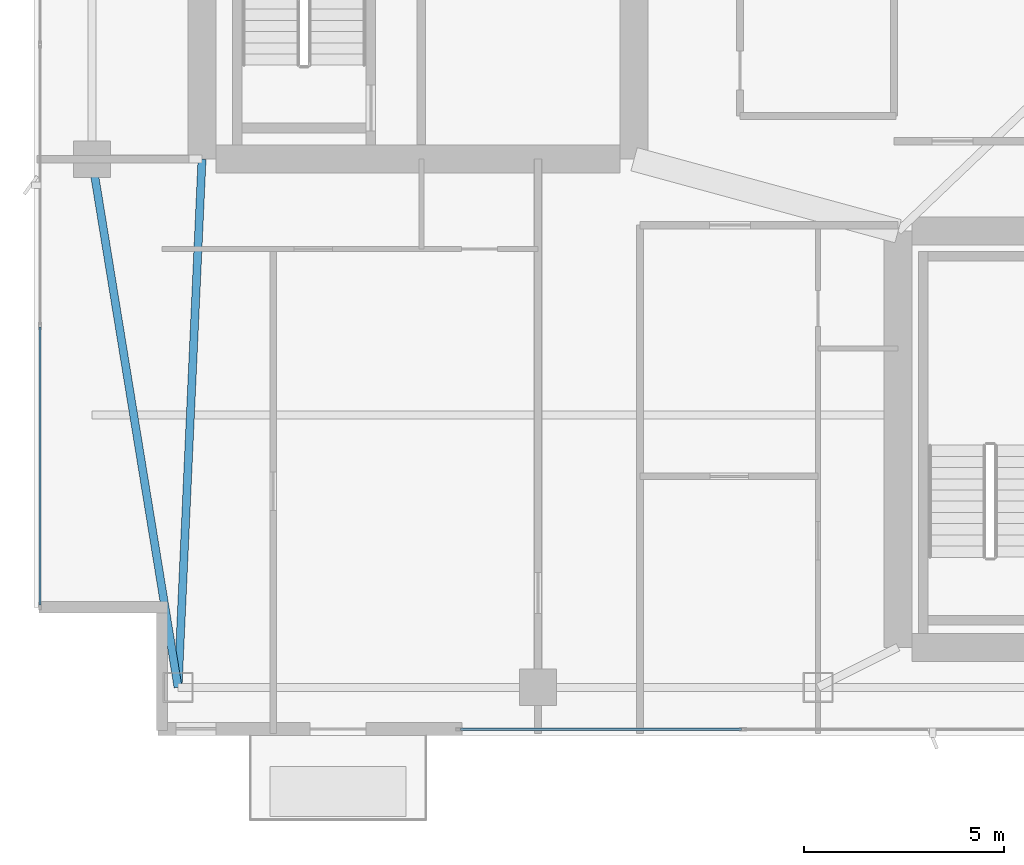
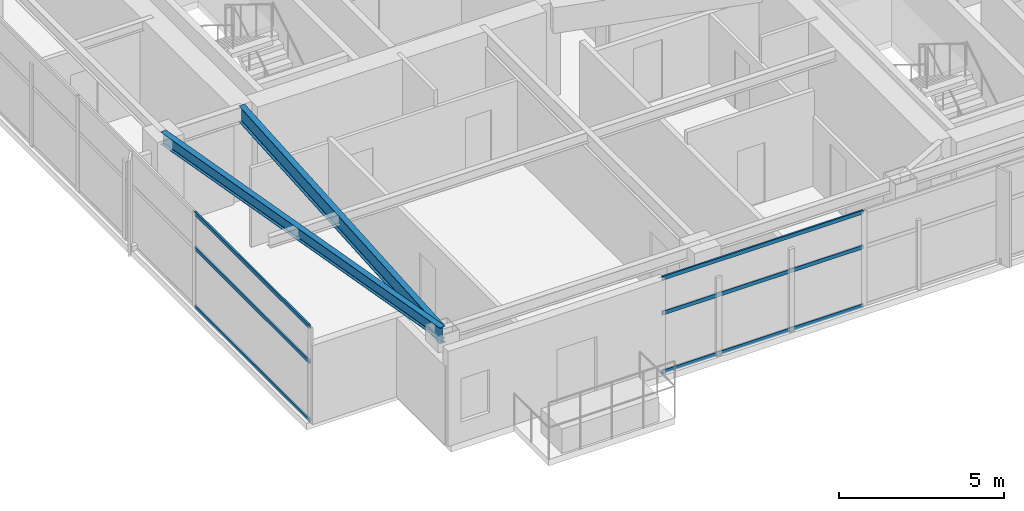
# One storey, part 3 of 27: 6 members, 2 beams, 2 elements without a shape of their own.
"""IFC4 building model written with IfcOpenShell, lengths in metres."""

from ifc_helpers import new_model, si_unit, direction, frame, origin, origin_2d, place, context, subcontext, project, spatial, hollow_rectangle, i_section, extrude, material, layer, layer_set, material_profile, profile_set, type_object, element, aggregate, save


model = new_model("IFC4")

# Units and contexts
model_context = context("Model", 3, precision=1e-05, world=origin(), true_north=direction((0.0, 1.0)))
body_context = subcontext(model_context, "Body", "Model", "MODEL_VIEW")
ifc_project = project(units=[si_unit("LENGTHUNIT", "METRE"), si_unit("AREAUNIT", "SQUARE_METRE"), si_unit("VOLUMEUNIT", "CUBIC_METRE"), si_unit("PLANEANGLEUNIT", "RADIAN"), si_unit("MASSUNIT", "GRAM", prefix="KILO")], contexts=[model_context])

# Site, building, storey
site_placement = place(None, origin())
site = spatial("IfcSite", under=ifc_project, at=site_placement, CompositionType="ELEMENT")
building_placement = place(site_placement, origin())
building = spatial("IfcBuilding", under=site, at=building_placement, Name="Calvorn Quay Hotel", CompositionType="ELEMENT")
storey_placement = place(building_placement, frame((0.0, 0.0, 230.699951171875)))
storey = spatial("IfcBuildingStorey", under=building, at=storey_placement, Name="L57", CompositionType="ELEMENT", Elevation=230.699951171875)

# Beams
ifc_material_1 = material(Name="Steel Q355B", Category="steel")
ifc_material_profile_1 = material_profile(ifc_material_1, i_section(OverallWidth=0.199951171875, OverallDepth=0.60009765625, WebThickness=0.010986328125, FlangeThickness=0.01708984375, FilletRadius=0.01806640625, at=origin_2d()), Name="HN600x200x11x17")
ifc_profile_set_1 = profile_set([ifc_material_profile_1], Name="Steel Q355B")
beam_type_1 = type_object("IfcBeamType", Name="BM-GIRD-TYP", PredefinedType="BEAM", material=ifc_profile_set_1)
beam_1_placement = place(storey_placement, frame((3.60009765625, 3.60009765625, 3.219970703125), z_axis=(0.045396765494, 0.998969035397, 0.0), x_axis=(-0.998969035397, 0.045396765494, 0.0)))
element("IfcBeam", 1, at=beam_1_placement, inside=storey, type_object=beam_type_1, Name="Beam BG-L57-W0", PredefinedType="BEAM", context=body_context, shape_type="SweptSolid", body=[
    extrude(i_section(OverallWidth=0.199951171875, OverallDepth=0.60009765625, WebThickness=0.010986328125, FlangeThickness=0.01708984375, FilletRadius=0.01806640625, at=origin_2d()), origin(), (0.0, 0.0, 1.0), 13.213623046875),
])
ifc_material_2 = material(Name="Steel Q355B", Category="steel")
ifc_material_profile_2 = material_profile(ifc_material_2, i_section(OverallWidth=0.199951171875, OverallDepth=0.449951171875, WebThickness=0.009033203125, FlangeThickness=0.013916015625, FilletRadius=0.01611328125, at=origin_2d()), Name="HN450x200x9x14")
ifc_profile_set_2 = profile_set([ifc_material_profile_2], Name="Steel Q355B")
beam_type_2 = type_object("IfcBeamType", Name="BM-SPANDREL-Z3", PredefinedType="SPANDREL", material=ifc_profile_set_2)
beam_2_placement = place(storey_placement, frame((3.60009765625, 3.60009765625, 3.295166015625), z_axis=(-0.16077155054, 0.986991645627, 0.0), x_axis=(-0.986991645627, -0.16077155054, 0.0)))
element("IfcBeam", 2, at=beam_2_placement, inside=storey, type_object=beam_type_2, Name="Beam BSP-L57-W1", PredefinedType="SPANDREL", context=body_context, shape_type="SweptSolid", body=[
    extrude(i_section(OverallWidth=0.199951171875, OverallDepth=0.449951171875, WebThickness=0.009033203125, FlangeThickness=0.013916015625, FilletRadius=0.01611328125, at=origin_2d()), origin(), (0.0, 0.0, 1.0), 13.3740234375),
])

# Curtain wall, members
ifc_material_3 = material(Name="Champagne Bronze Anodised Aluminium and Low-E Glass", Category="aluminium")
ifc_layer = layer(ifc_material_3, 0.219970703125)
ifc_layer_set = layer_set([ifc_layer], Name="CW-SYS-Z3")
curtain_wall_type = type_object("IfcCurtainWallType", Name="CW-SYS-Z3", PredefinedType="NOTDEFINED", material=ifc_layer_set)
curtain_wall_1_placement = place(storey_placement, origin())
curtain_wall_1 = element("IfcCurtainWall", 3, at=curtain_wall_1_placement, inside=storey, type_object=curtain_wall_type, Name="Tower West Curtain Wall (L57)", PredefinedType="NOTDEFINED")
ifc_material_4 = material(Name="Champagne Bronze Anodised Aluminium 6063-T6", Category="aluminium")
ifc_material_profile_3 = material_profile(ifc_material_4, hollow_rectangle(XDim=0.05810546875, YDim=0.139892578125, WallThickness=0.003173828125, at=origin_2d()), Name="ALU-T140x58x3.2")
ifc_profile_set_3 = profile_set([ifc_material_profile_3], Name="Champagne Bronze Anodised Aluminium 6063-T6")
member_type = type_object("IfcMemberType", Name="CW-SYS-Z3-TRN", PredefinedType="USERDEFINED", material=ifc_profile_set_3)
member_1_placement = place(storey_placement, frame((0.14990234375, 5.659912109375, 0.030029296875), z_axis=(0.0, 1.0, 0.0), x_axis=(-1.0, 0.0, 0.0)))
member_1 = element("IfcMember", 4, at=member_1_placement, type_object=member_type, Name="CW-L57-W transom 1.1", ObjectType="TRANSOM", PredefinedType="USERDEFINED", context=body_context, shape_type="SweptSolid", body=[
    extrude(hollow_rectangle(XDim=0.05810546875, YDim=0.139892578125, WallThickness=0.003173828125, at=origin_2d()), origin(), (0.0, 0.0, 1.0), 6.943359375),
])
member_2_placement = place(storey_placement, frame((0.14990234375, 5.659912109375, 2.199951171875), z_axis=(0.0, 1.0, 0.0), x_axis=(-1.0, 0.0, 0.0)))
member_2 = element("IfcMember", 5, at=member_2_placement, type_object=member_type, Name="CW-L57-W transom 1.2", ObjectType="TRANSOM", PredefinedType="USERDEFINED", context=body_context, shape_type="SweptSolid", body=[
    extrude(hollow_rectangle(XDim=0.05810546875, YDim=0.139892578125, WallThickness=0.003173828125, at=origin_2d()), origin(), (0.0, 0.0, 1.0), 6.943359375),
])
member_3_placement = place(storey_placement, frame((0.14990234375, 5.659912109375, 3.489990234375), z_axis=(0.0, 1.0, 0.0), x_axis=(-1.0, 0.0, 0.0)))
member_3 = element("IfcMember", 6, at=member_3_placement, type_object=member_type, Name="CW-L57-W transom 1.3", ObjectType="TRANSOM", PredefinedType="USERDEFINED", context=body_context, shape_type="SweptSolid", body=[
    extrude(hollow_rectangle(XDim=0.05810546875, YDim=0.139892578125, WallThickness=0.003173828125, at=origin_2d()), origin(), (0.0, 0.0, 1.0), 6.943359375),
])
aggregate(curtain_wall_1, [member_1, member_2, member_3])

curtain_wall_2_placement = place(storey_placement, origin())
curtain_wall_2 = element("IfcCurtainWall", 7, at=curtain_wall_2_placement, inside=storey, type_object=curtain_wall_type, Name="Tower South Waterfront Curtain Wall (L57)", PredefinedType="NOTDEFINED")
member_4_placement = place(storey_placement, frame((10.659912109375, 2.550048828125, 0.030029296875), z_axis=(1.0, 0.0, 0.0), x_axis=(0.0, 1.0, 0.0)))
member_4 = element("IfcMember", 8, at=member_4_placement, type_object=member_type, Name="CW-L57-S transom 1.1", ObjectType="TRANSOM", PredefinedType="USERDEFINED", context=body_context, shape_type="SweptSolid", body=[
    extrude(hollow_rectangle(XDim=0.05810546875, YDim=0.139892578125, WallThickness=0.003173828125, at=origin_2d()), origin(), (0.0, 0.0, 1.0), 7.030029296875),
])
member_5_placement = place(storey_placement, frame((10.659912109375, 2.550048828125, 2.199951171875), z_axis=(1.0, 0.0, 0.0), x_axis=(0.0, 1.0, 0.0)))
member_5 = element("IfcMember", 9, at=member_5_placement, type_object=member_type, Name="CW-L57-S transom 1.2", ObjectType="TRANSOM", PredefinedType="USERDEFINED", context=body_context, shape_type="SweptSolid", body=[
    extrude(hollow_rectangle(XDim=0.05810546875, YDim=0.139892578125, WallThickness=0.003173828125, at=origin_2d()), origin(), (0.0, 0.0, 1.0), 7.030029296875),
])
member_6_placement = place(storey_placement, frame((10.659912109375, 2.550048828125, 3.489990234375), z_axis=(1.0, 0.0, 0.0), x_axis=(0.0, 1.0, 0.0)))
member_6 = element("IfcMember", 10, at=member_6_placement, type_object=member_type, Name="CW-L57-S transom 1.3", ObjectType="TRANSOM", PredefinedType="USERDEFINED", context=body_context, shape_type="SweptSolid", body=[
    extrude(hollow_rectangle(XDim=0.05810546875, YDim=0.139892578125, WallThickness=0.003173828125, at=origin_2d()), origin(), (0.0, 0.0, 1.0), 7.030029296875),
])
aggregate(curtain_wall_2, [member_4, member_5, member_6])

save(model, "model.ifc")
